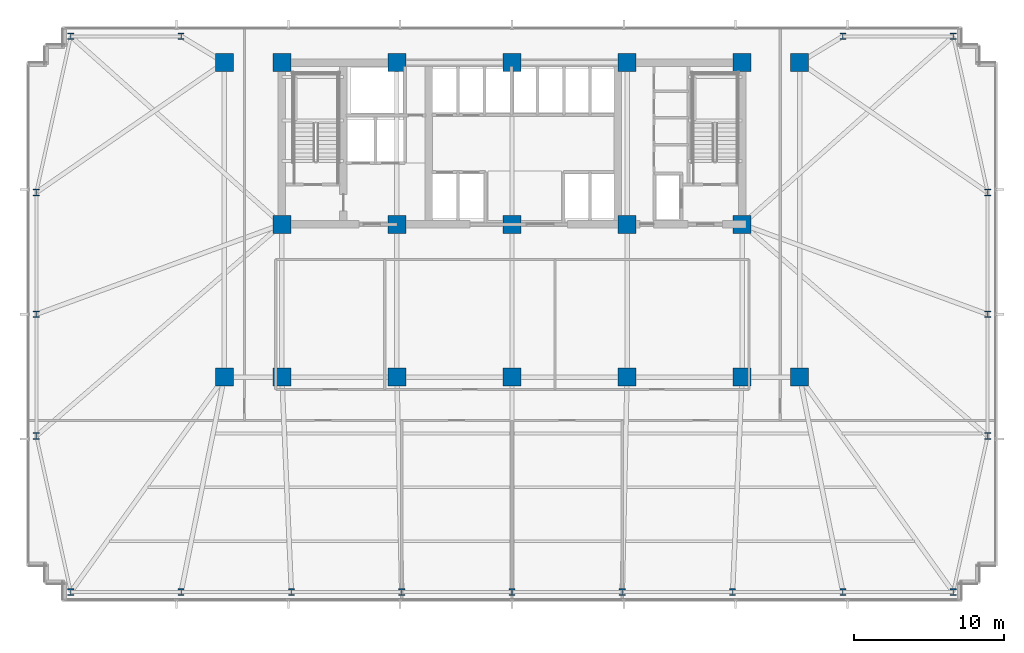
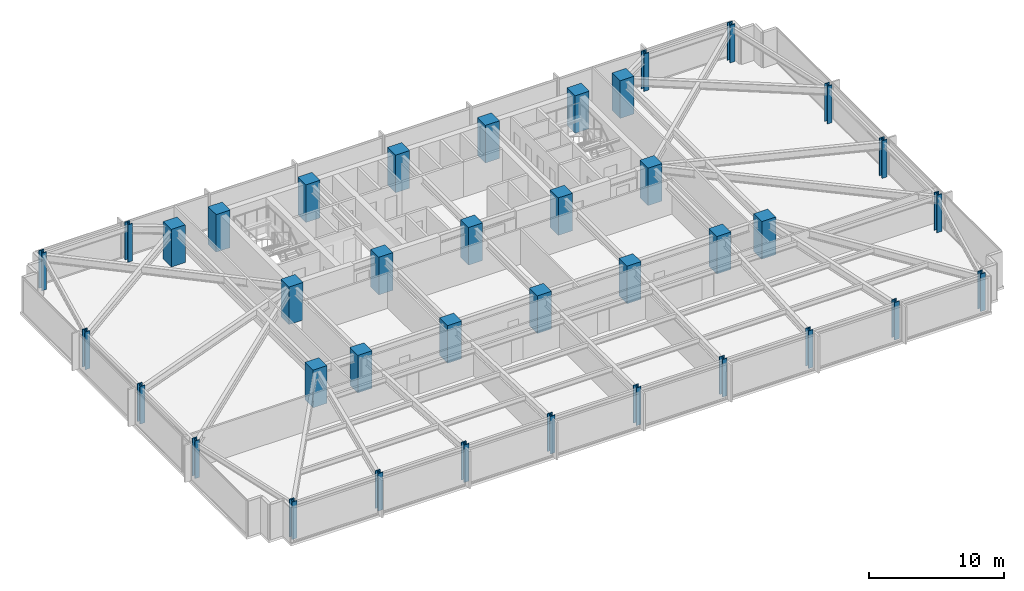
# One storey, part 1 of 33: 38 columns.
"""IFC4 building model written with IfcOpenShell, lengths in metres."""

import ifcopenshell
import ifcopenshell.guid

model = None  # the IFC model being written
_history = None  # IfcOwnerHistory: only IFC2X3 demands one
_inside = {}  # id of a spatial element -> (the spatial element, [elements in it])
_under = {}  # id of a project, library or spatial element -> (it, [spatial elements below it])
_declared = {}  # id of a project -> (the project, [libraries it declares])
_typed = {}  # id of a type object -> (the type object, [elements of that type])
_made_of = {}  # id of a material, layer set ... -> (it, [elements and type objects made of it])


def new_model(schema):
    """Start an empty IFC model of exactly this schema.

    Asked for "IFC4X3", IfcOpenShell would pick the latest addendum, in which some entities
    have other attributes; the version numbers below select the first issue.
    IFC2X3 requires an IfcOwnerHistory on every rooted entity: one is made here for all.
    """
    global model, _history
    if schema == "IFC4X3":
        model = ifcopenshell.file(schema_version=(4, 3, 0, 0))
    else:
        model = ifcopenshell.file(schema=schema)
    _inside.clear()
    _under.clear()
    _declared.clear()
    _typed.clear()
    _made_of.clear()
    _history = None
    if model.schema == "IFC2X3":
        org = make("IfcOrganization", Name="unknown")
        user = make(
            "IfcPersonAndOrganization",
            ThePerson=make("IfcPerson", FamilyName="unknown"),
            TheOrganization=org,
        )
        app = make(
            "IfcApplication",
            ApplicationDeveloper=org,
            Version="unknown",
            ApplicationFullName="unknown",
            ApplicationIdentifier="unknown",
        )
        _history = make(
            "IfcOwnerHistory",
            OwningUser=user,
            OwningApplication=app,
            ChangeAction="ADDED",
            CreationDate=0,
        )
    return model


def make(cls, **values):
    """One entity of the class cls with the attributes given. An attribute that is None is left unset."""
    return model.create_entity(
        cls, **{name: value for name, value in values.items() if value is not None}
    )


def rooted(cls, **values):
    """An entity with a GlobalId (a new one), such as an element, a storey or a relation."""
    return make(cls, GlobalId=ifcopenshell.guid.new(), OwnerHistory=_history, **values)


def si_unit(unit_type, name, prefix=None):
    """IfcSIUnit, for example si_unit("LENGTHUNIT", "METRE", prefix="MILLI")."""
    return make("IfcSIUnit", UnitType=unit_type, Prefix=prefix, Name=name)


def assignment(units):
    """IfcUnitAssignment: the units of a project."""
    return None if units is None else make("IfcUnitAssignment", Units=units)


def point(xyz):
    """IfcCartesianPoint."""
    return None if xyz is None else make("IfcCartesianPoint", Coordinates=xyz)


def direction(xyz):
    """IfcDirection."""
    return None if xyz is None else make("IfcDirection", DirectionRatios=xyz)


def frame(location, z_axis=None, x_axis=None):
    """IfcAxis2Placement3D, a coordinate frame: its origin and axes. An axis left out is left unset."""
    return make(
        "IfcAxis2Placement3D",
        Location=point(location),
        Axis=direction(z_axis),
        RefDirection=direction(x_axis),
    )


def frame_2d(location, x_axis=None):
    """IfcAxis2Placement2D, a coordinate frame in the plane: its origin and x axis."""
    return make(
        "IfcAxis2Placement2D", Location=point(location), RefDirection=direction(x_axis)
    )


def origin():
    """The frame at (0, 0, 0) with its axes left unset."""
    return frame((0.0, 0.0, 0.0))


def origin_2d():
    """The frame at (0, 0) in the plane with its x axis left unset."""
    return frame_2d((0.0, 0.0))


def place(relative_to, where):
    """IfcLocalPlacement: puts the frame where relative to a parent placement (None: the world)."""
    return make(
        "IfcLocalPlacement", PlacementRelTo=relative_to, RelativePlacement=where
    )


def context(
    kind, dimensions, precision=None, world=None, true_north=None, identifier=None
):
    """IfcGeometricRepresentationContext, for example the 3D "Model" context."""
    return make(
        "IfcGeometricRepresentationContext",
        ContextIdentifier=identifier,
        ContextType=kind,
        CoordinateSpaceDimension=dimensions,
        Precision=precision,
        WorldCoordinateSystem=world,
        TrueNorth=true_north,
    )


def subcontext(parent, identifier, kind, view, scale=None):
    """IfcGeometricRepresentationSubContext, for example "Body" below "Model"."""
    return make(
        "IfcGeometricRepresentationSubContext",
        ContextIdentifier=identifier,
        ContextType=kind,
        ParentContext=parent,
        TargetScale=scale,
        TargetView=view,
    )


def project(units=None, contexts=None):
    """IfcProject with its units and contexts."""
    return rooted(
        "IfcProject",
        Name="project",
        RepresentationContexts=contexts,
        UnitsInContext=assignment(units),
    )


def spatial(cls, under=None, at=None, **own):
    """A site, building, storey or space (cls), placed at a placement, below another one or the project."""
    s = rooted(cls, ObjectPlacement=at, **own)
    if under is not None:
        _under.setdefault(under.id(), (under, []))[1].append(s)
    return s


def profile(cls, at=None, kind="AREA", **sizes):
    """A parametric profile (cls). Its sizes go by their IFC names, for example OverallWidth=200.0."""
    return make(cls, ProfileType=kind, Position=at, **sizes)


def rectangle(**sizes):
    """IfcRectangleProfileDef."""
    return profile("IfcRectangleProfileDef", **sizes)


def i_section(**sizes):
    """IfcIShapeProfileDef."""
    return profile("IfcIShapeProfileDef", **sizes)


def extrude(swept, where, along, depth):
    """IfcExtrudedAreaSolid: the profile swept, set in the frame where, extruded along a direction by depth."""
    return make(
        "IfcExtrudedAreaSolid",
        SweptArea=swept,
        Position=where,
        ExtrudedDirection=direction(along),
        Depth=depth,
    )


def shape(context_of_items, identifier, shape_type, items):
    """IfcShapeRepresentation: the items that make up one representation, for example the "Body"."""
    return make(
        "IfcShapeRepresentation",
        ContextOfItems=context_of_items,
        RepresentationIdentifier=identifier,
        RepresentationType=shape_type,
        Items=items,
    )


def material(Name=None, Category=None):
    """IfcMaterial."""
    return make("IfcMaterial", Name=Name, Category=Category)


def material_profile(
    of_material, cross_section, Name=None, Category=None, Priority=None
):
    """IfcMaterialProfile: a cross section and its material."""
    return make(
        "IfcMaterialProfile",
        Name=Name,
        Material=of_material,
        Profile=cross_section,
        Priority=Priority,
        Category=Category,
    )


def profile_set(profiles, Name=None, composite=None):
    """IfcMaterialProfileSet."""
    return make(
        "IfcMaterialProfileSet",
        Name=Name,
        MaterialProfiles=profiles,
        CompositeProfile=composite,
    )


def made_of(thing, what):
    """Note that an element or type object is made of a material, layer set ...; save() writes the relation."""
    if what is not None:
        _made_of.setdefault(what.id(), (what, []))[1].append(thing)
    return thing


def type_object(cls, material=None, **own):
    """A type object (cls), such as IfcWallType, which elements share."""
    return made_of(rooted(cls, **own), material)


def element(
    cls,
    number,
    at=None,
    inside=None,
    cuts=None,
    type_object=None,
    material=None,
    context=None,
    identifier="Body",
    shape_type=None,
    held_by="IfcProductDefinitionShape",
    body=None,
    shapes=None,
    **own,
):
    """One element of the class cls, such as IfcWall. Its Tag is "e" and its number.

    at: its placement. inside: the storey or other place that contains it. cuts: it is an
    opening in that element (IfcRelVoidsElement). A single representation is given by context,
    identifier, shape_type and body (its items); several are given by shapes. held_by: the class
    of the entity that holds the representations. save() writes the other relations.
    """
    e = rooted(cls, Tag="e%d" % number, ObjectPlacement=at, **own)
    if body is not None:
        shapes = [shape(context, identifier, shape_type, body)]
    if shapes is not None:
        e.Representation = make(held_by, Representations=shapes)
    if inside is not None:
        _inside.setdefault(inside.id(), (inside, []))[1].append(e)
    if cuts is not None:
        rooted(
            "IfcRelVoidsElement", RelatingBuildingElement=cuts, RelatedOpeningElement=e
        )
    if type_object is not None:
        _typed.setdefault(type_object.id(), (type_object, []))[1].append(e)
    return made_of(e, material)


def aggregate(whole, parts):
    """IfcRelAggregates: a whole, such as a stair, and the parts it consists of."""
    return rooted("IfcRelAggregates", RelatingObject=whole, RelatedObjects=parts)


def save(model, path):
    """Write the relations noted so far, then the file.

    IfcRelAggregates (storeys below a building ...), IfcRelContainedInSpatialStructure (elements
    in a storey), IfcRelDefinesByType, IfcRelAssociatesMaterial and IfcRelDeclares: one each for
    every whole, place, type object, material and project.
    """
    for whole, parts in _under.values():
        aggregate(whole, parts)
    for where, things in _inside.values():
        rooted(
            "IfcRelContainedInSpatialStructure",
            RelatedElements=things,
            RelatingStructure=where,
        )
    for kind, things in _typed.values():
        rooted("IfcRelDefinesByType", RelatedObjects=things, RelatingType=kind)
    for what, things in _made_of.values():
        rooted("IfcRelAssociatesMaterial", RelatedObjects=things, RelatingMaterial=what)
    for by, libraries in _declared.values():
        rooted("IfcRelDeclares", RelatingContext=by, RelatedDefinitions=libraries)
    model.write(path)


model = new_model("IFC4")

# Units and contexts
model_context = context("Model", 3, precision=1e-05, world=origin(), true_north=direction((0.0, 1.0)))
body_context = subcontext(model_context, "Body", "Model", "MODEL_VIEW")
ifc_project = project(units=[si_unit("LENGTHUNIT", "METRE"), si_unit("AREAUNIT", "SQUARE_METRE"), si_unit("VOLUMEUNIT", "CUBIC_METRE"), si_unit("PLANEANGLEUNIT", "RADIAN"), si_unit("MASSUNIT", "GRAM", prefix="KILO")], contexts=[model_context])

# Site, building, storey
site_placement = place(None, origin())
site = spatial("IfcSite", under=ifc_project, at=site_placement, CompositionType="ELEMENT")
building_placement = place(site_placement, origin())
building = spatial("IfcBuilding", under=site, at=building_placement, Name="Yelkora Congress Tower", CompositionType="ELEMENT")
storey_placement = place(building_placement, frame((0.0, 0.0, 47.39990234375)))
storey = spatial("IfcBuildingStorey", under=building, at=storey_placement, Name="L11", CompositionType="ELEMENT", Elevation=47.39990234375)

# Columns
ifc_material_1 = material(Name="Steel S460M", Category="steel")
ifc_material_profile_1 = material_profile(ifc_material_1, i_section(OverallWidth=0.41796875, OverallDepth=0.455078125, WebThickness=0.0419921875, FlangeThickness=0.068115234375, FilletRadius=0.014892578125, at=origin_2d()), Name="HD 400x551")
ifc_profile_set_1 = profile_set([ifc_material_profile_1], Name="Steel S460M")
column_type_1 = type_object("IfcColumnType", Name="COL-HD-551-EXT", PredefinedType="COLUMN", material=ifc_profile_set_1)
for number, where, z_axis, x_axis, name in (
    (1, (8.949951171875, 10.85009765625, 0.0), (0.0, 0.0, 1.0), (1.0, 0.0, 0.0), "L11 Perimeter Column S01"),
    (2, (16.3125, 10.85009765625, 0.0), (0.0, 0.0, 1.0), (1.0, 0.0, 0.0), "L11 Perimeter Column S02"),
    (3, (23.675048828125, 10.85009765625, 0.0), (0.0, 0.0, 1.0), (1.0, 0.0, 0.0), "L11 Perimeter Column S03"),
    (4, (31.03759765625, 10.85009765625, 0.0), (0.0, 0.0, 1.0), (1.0, 0.0, 0.0), "L11 Perimeter Column S04"),
    (5, (38.39990234375, 10.85009765625, 0.0), (0.0, 0.0, 1.0), (1.0, 0.0, 0.0), "L11 Perimeter Column S05"),
    (6, (45.762451171875, 10.85009765625, 0.0), (0.0, 0.0, 1.0), (1.0, 0.0, 0.0), "L11 Perimeter Column S06"),
    (7, (53.125, 10.85009765625, 0.0), (0.0, 0.0, 1.0), (1.0, 0.0, 0.0), "L11 Perimeter Column S07"),
    (8, (60.487548828125, 10.85009765625, 0.0), (0.0, 0.0, 1.0), (1.0, 0.0, 0.0), "L11 Perimeter Column S08"),
    (9, (67.85009765625, 10.85009765625, 0.0), (0.0, 0.0, 1.0), (1.0, 0.0, 0.0), "L11 Perimeter Column S09"),
    (10, (8.949951171875, 47.949951171875, 0.0), (0.0, 0.0, 1.0), (1.0, 0.0, 0.0), "L11 Perimeter Column N01"),
    (11, (16.3125, 47.949951171875, 0.0), (0.0, 0.0, 1.0), (1.0, 0.0, 0.0), "L11 Perimeter Column N02"),
    (12, (60.487548828125, 47.949951171875, 0.0), (0.0, 0.0, 1.0), (1.0, 0.0, 0.0), "L11 Perimeter Column N08"),
    (13, (67.85009765625, 47.949951171875, 0.0), (0.0, 0.0, 1.0), (1.0, 0.0, 0.0), "L11 Perimeter Column N09"),
    (14, (6.64990234375, 21.27490234375, 0.0), (0.0, 0.0, 1.0), (1.0, 0.0, 0.0), "L11 Perimeter Column W01"),
    (15, (70.14990234375, 21.27490234375, 0.0), (0.0, 0.0, 1.0), (1.0, 0.0, 0.0), "L11 Perimeter Column E01"),
    (16, (6.64990234375, 29.39990234375, 0.0), (0.0, 0.0, 1.0), (1.0, 0.0, 0.0), "L11 Perimeter Column W02"),
    (17, (70.14990234375, 29.39990234375, 0.0), (0.0, 0.0, 1.0), (1.0, 0.0, 0.0), "L11 Perimeter Column E02"),
    (18, (6.64990234375, 37.52490234375, 0.0), (0.0, 0.0, 1.0), (1.0, 0.0, 0.0), "L11 Perimeter Column W03"),
    (19, (70.14990234375, 37.52490234375, 0.0), (0.0, 0.0, 1.0), (1.0, 0.0, 0.0), "L11 Perimeter Column E03"),
):
    element("IfcColumn", number, at=place(storey_placement, frame(where, z_axis=z_axis, x_axis=x_axis)), inside=storey, type_object=column_type_1, Name=name, PredefinedType="COLUMN", context=body_context, shape_type="SweptSolid", body=[
        extrude(i_section(OverallWidth=0.41796875, OverallDepth=0.455078125, WebThickness=0.0419921875, FlangeThickness=0.068115234375, FilletRadius=0.014892578125, at=origin_2d()), origin(), (0.0, 0.0, 1.0), 3.400146484375),
    ])
ifc_material_2 = material(Name="Concrete C60/75", Category="concrete")
ifc_material_profile_2 = material_profile(ifc_material_2, rectangle(XDim=1.199951171875, YDim=1.199951171875, at=origin_2d()), Name="RC 1200x1200")
ifc_profile_set_2 = profile_set([ifc_material_profile_2], Name="Concrete C60/75")
column_type_2 = type_object("IfcColumnType", Name="COL-RC-1200", PredefinedType="COLUMN", material=ifc_profile_set_2)
for number, where, z_axis, x_axis, name in (
    (20, (23.0400390625, 35.39990234375, 0.0), (0.0, 0.0, 1.0), (1.0, 0.0, 0.0), "L11 Mega Column MC-S1"),
    (21, (23.0400390625, 46.199951171875, 0.0), (0.0, 0.0, 1.0), (1.0, 0.0, 0.0), "L11 Mega Column MC-N1"),
    (22, (23.0400390625, 25.199951171875, 0.0), (0.0, 0.0, 1.0), (1.0, 0.0, 0.0), "L11 Mega Column MC-D1"),
    (23, (30.719970703125, 35.39990234375, 0.0), (0.0, 0.0, 1.0), (1.0, 0.0, 0.0), "L11 Mega Column MC-S2"),
    (24, (30.719970703125, 46.199951171875, 0.0), (0.0, 0.0, 1.0), (1.0, 0.0, 0.0), "L11 Mega Column MC-N2"),
    (25, (30.719970703125, 25.199951171875, 0.0), (0.0, 0.0, 1.0), (1.0, 0.0, 0.0), "L11 Mega Column MC-D2"),
    (26, (38.39990234375, 35.39990234375, 0.0), (0.0, 0.0, 1.0), (1.0, 0.0, 0.0), "L11 Mega Column MC-S3"),
    (27, (38.39990234375, 46.199951171875, 0.0), (0.0, 0.0, 1.0), (1.0, 0.0, 0.0), "L11 Mega Column MC-N3"),
    (28, (38.39990234375, 25.199951171875, 0.0), (0.0, 0.0, 1.0), (1.0, 0.0, 0.0), "L11 Mega Column MC-D3"),
    (29, (46.080078125, 35.39990234375, 0.0), (0.0, 0.0, 1.0), (1.0, 0.0, 0.0), "L11 Mega Column MC-S4"),
    (30, (46.080078125, 46.199951171875, 0.0), (0.0, 0.0, 1.0), (1.0, 0.0, 0.0), "L11 Mega Column MC-N4"),
    (31, (46.080078125, 25.199951171875, 0.0), (0.0, 0.0, 1.0), (1.0, 0.0, 0.0), "L11 Mega Column MC-D4"),
    (32, (53.760009765625, 35.39990234375, 0.0), (0.0, 0.0, 1.0), (1.0, 0.0, 0.0), "L11 Mega Column MC-S5"),
    (33, (53.760009765625, 46.199951171875, 0.0), (0.0, 0.0, 1.0), (1.0, 0.0, 0.0), "L11 Mega Column MC-N5"),
    (34, (53.760009765625, 25.199951171875, 0.0), (0.0, 0.0, 1.0), (1.0, 0.0, 0.0), "L11 Mega Column MC-D5"),
    (35, (19.199951171875, 25.199951171875, 0.0), (0.0, 0.0, 1.0), (1.0, 0.0, 0.0), "L11 Mega Column MC-F1"),
    (36, (57.60009765625, 25.199951171875, 0.0), (0.0, 0.0, 1.0), (1.0, 0.0, 0.0), "L11 Mega Column MC-F2"),
    (37, (19.199951171875, 46.199951171875, 0.0), (0.0, 0.0, 1.0), (1.0, 0.0, 0.0), "L11 Mega Column MC-F3"),
    (38, (57.60009765625, 46.199951171875, 0.0), (0.0, 0.0, 1.0), (1.0, 0.0, 0.0), "L11 Mega Column MC-F4"),
):
    element("IfcColumn", number, at=place(storey_placement, frame(where, z_axis=z_axis, x_axis=x_axis)), inside=storey, type_object=column_type_2, Name=name, PredefinedType="COLUMN", context=body_context, shape_type="SweptSolid", body=[
        extrude(rectangle(XDim=1.199951171875, YDim=1.199951171875, at=origin_2d()), origin(), (0.0, 0.0, 1.0), 3.400146484375),
    ])

save(model, "model.ifc")
